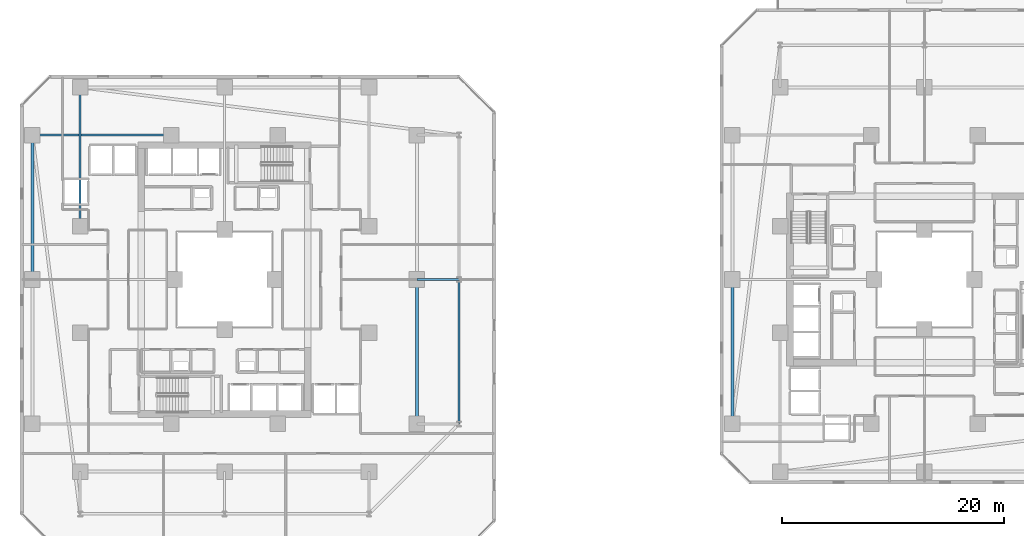
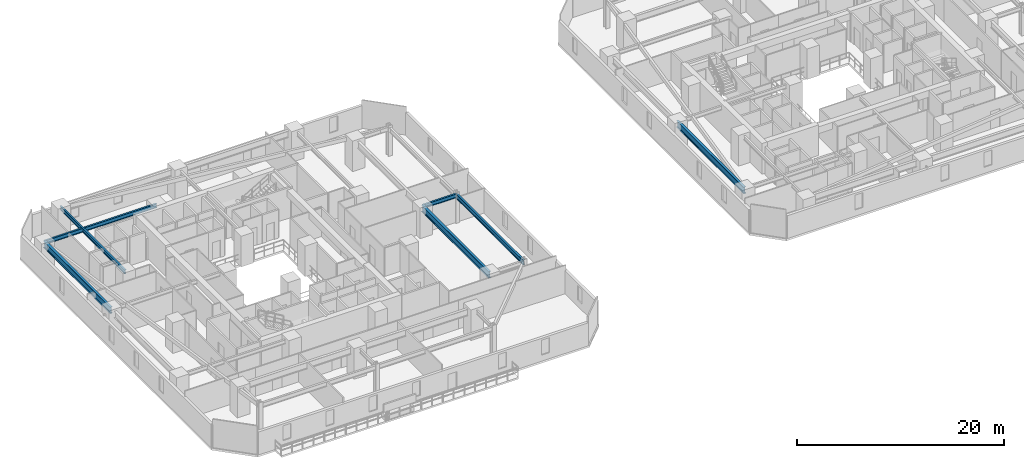
# One storey, part 7 of 34: 7 beams.
"""IFC4 building model written with IfcOpenShell, lengths in metres."""

from ifc_helpers import new_model, si_unit, direction, frame, origin, origin_2d, place, context, subcontext, project, spatial, i_section, extrude, material, material_profile, profile_set, type_object, element, save


model = new_model("IFC4")

# Units and contexts
model_context = context("Model", 3, precision=1e-05, world=origin(), true_north=direction((0.0, 1.0)))
body_context = subcontext(model_context, "Body", "Model", "MODEL_VIEW")
ifc_project = project(units=[si_unit("LENGTHUNIT", "METRE"), si_unit("AREAUNIT", "SQUARE_METRE"), si_unit("VOLUMEUNIT", "CUBIC_METRE"), si_unit("PLANEANGLEUNIT", "RADIAN"), si_unit("MASSUNIT", "GRAM", prefix="KILO")], contexts=[model_context])

# Site, building, storey
site_placement = place(None, origin())
site = spatial("IfcSite", under=ifc_project, at=site_placement, CompositionType="ELEMENT")
building_placement = place(site_placement, origin())
building = spatial("IfcBuilding", under=site, at=building_placement, Name="Thornwick Lancets Civic Towers", CompositionType="ELEMENT")
storey_placement = place(building_placement, frame((0.0, 0.0, 60.89990234375)))
storey = spatial("IfcBuildingStorey", under=building, at=storey_placement, Name="L15", CompositionType="ELEMENT", Elevation=60.89990234375)

# Beams
ifc_material = material(Name="Steel S355JR", Category="steel")
ifc_material_profile_1 = material_profile(ifc_material, i_section(OverallWidth=0.2119140625, OverallDepth=0.54443359375, WebThickness=0.0126953125, FlangeThickness=0.021240234375, FilletRadius=0.0126953125, at=origin_2d()), Name="UKB 533x210x122")
ifc_profile_set_1 = profile_set([ifc_material_profile_1], Name="Steel S355JR")
beam_type_1 = type_object("IfcBeamType", Name="BM_EDGE_533_122", PredefinedType="SPANDREL", material=ifc_profile_set_1)
beam_1_placement = place(storey_placement, frame((46.60009765625, 14.0, 3.087890625), z_axis=(0.0, 1.0, 0.0), x_axis=(-1.0, 0.0, 0.0)))
element("IfcBeam", 1, at=beam_1_placement, inside=storey, type_object=beam_type_1, Name="BM-EDGE-L15-A-S1-1", PredefinedType="SPANDREL", context=body_context, shape_type="SweptSolid", body=[
    extrude(i_section(OverallWidth=0.2119140625, OverallDepth=0.54443359375, WebThickness=0.0126953125, FlangeThickness=0.021240234375, FilletRadius=0.0126953125, at=origin_2d()), origin(), (0.0, 0.0, 1.0), 13.0),
])
ifc_material_profile_2 = material_profile(ifc_material, i_section(OverallWidth=0.26806640625, OverallDepth=0.769775390625, WebThickness=0.015625, FlangeThickness=0.025390625, FilletRadius=0.0166015625, at=origin_2d()), Name="UKB 762x267x197")
ifc_profile_set_2 = profile_set([ifc_material_profile_2], Name="Steel S355JR")
beam_type_2 = type_object("IfcBeamType", Name="BM_GIRD_762_197", PredefinedType="BEAM", material=ifc_profile_set_2)
beam_2_placement = place(storey_placement, frame((42.800048828125, 14.0, 2.97509765625), z_axis=(0.0, 1.0, 0.0), x_axis=(-1.0, 0.0, 0.0)))
element("IfcBeam", 2, at=beam_2_placement, inside=storey, type_object=beam_type_2, Name="BM-SPINE-L15-A-3-4", PredefinedType="BEAM", context=body_context, shape_type="SweptSolid", body=[
    extrude(i_section(OverallWidth=0.26806640625, OverallDepth=0.769775390625, WebThickness=0.015625, FlangeThickness=0.025390625, FilletRadius=0.0166015625, at=origin_2d()), origin(), (0.0, 0.0, 1.0), 13.0),
])
beam_3_placement = place(storey_placement, frame((8.199951171875, 27.080078125, 2.97509765625), z_axis=(0.0, 1.0, 0.0), x_axis=(-1.0, 0.0, 0.0)))
element("IfcBeam", 3, at=beam_3_placement, inside=storey, type_object=beam_type_2, Name="BM-SPINE-L15-A-10-11", PredefinedType="BEAM", context=body_context, shape_type="SweptSolid", body=[
    extrude(i_section(OverallWidth=0.26806640625, OverallDepth=0.769775390625, WebThickness=0.015625, FlangeThickness=0.025390625, FilletRadius=0.0166015625, at=origin_2d()), origin(), (0.0, 0.0, 1.0), 12.919921875),
])
beam_4_placement = place(storey_placement, frame((71.199951171875, 14.0, 2.97509765625), z_axis=(0.0, 1.0, 0.0), x_axis=(-1.0, 0.0, 0.0)))
element("IfcBeam", 4, at=beam_4_placement, inside=storey, type_object=beam_type_2, Name="BM-SPINE-L15-B-6-7", PredefinedType="BEAM", context=body_context, shape_type="SweptSolid", body=[
    extrude(i_section(OverallWidth=0.26806640625, OverallDepth=0.769775390625, WebThickness=0.015625, FlangeThickness=0.025390625, FilletRadius=0.0166015625, at=origin_2d()), origin(), (0.0, 0.0, 1.0), 13.0),
])
ifc_material_profile_3 = material_profile(ifc_material, i_section(OverallWidth=0.19287109375, OverallDepth=0.46728515625, WebThickness=0.011474609375, FlangeThickness=0.01953125, FilletRadius=0.01025390625, at=origin_2d()), Name="UKB 457x191x98")
ifc_profile_set_3 = profile_set([ifc_material_profile_3], Name="Steel S355JR")
beam_type_3 = type_object("IfcBeamType", Name="BM_JOIST_457_98", PredefinedType="JOIST", material=ifc_profile_set_3)
beam_5_placement = place(storey_placement, frame((42.800048828125, 27.0, 3.12646484375), z_axis=(1.0, 0.0, 0.0), x_axis=(0.0, 1.0, 0.0)))
element("IfcBeam", 5, at=beam_5_placement, inside=storey, type_object=beam_type_3, Name="BM-RAD-L15-A05", PredefinedType="JOIST", context=body_context, shape_type="SweptSolid", body=[
    extrude(i_section(OverallWidth=0.19287109375, OverallDepth=0.46728515625, WebThickness=0.011474609375, FlangeThickness=0.01953125, FilletRadius=0.01025390625, at=origin_2d()), origin(), (0.0, 0.0, 1.0), 3.800048828125),
])
for number, where, z_axis, x_axis, name in (
    (6, (12.5, 31.800048828125, 3.12646484375), (0.0, 1.0, 0.0), (-1.0, 0.0, 0.0), "BM-RADIN-L15-A07"),
    (7, (20.699951171875, 40.0, 3.12646484375), (-1.0, 0.0, 0.0), (0.0, -1.0, 0.0), "BM-RADIN-L15-A12"),
):
    element("IfcBeam", number, at=place(storey_placement, frame(where, z_axis=z_axis, x_axis=x_axis)), inside=storey, type_object=beam_type_3, Name=name, PredefinedType="JOIST", context=body_context, shape_type="SweptSolid", body=[
        extrude(i_section(OverallWidth=0.19287109375, OverallDepth=0.46728515625, WebThickness=0.011474609375, FlangeThickness=0.01953125, FilletRadius=0.01025390625, at=origin_2d()), origin(), (0.0, 0.0, 1.0), 12.5),
    ])

save(model, "model.ifc")
